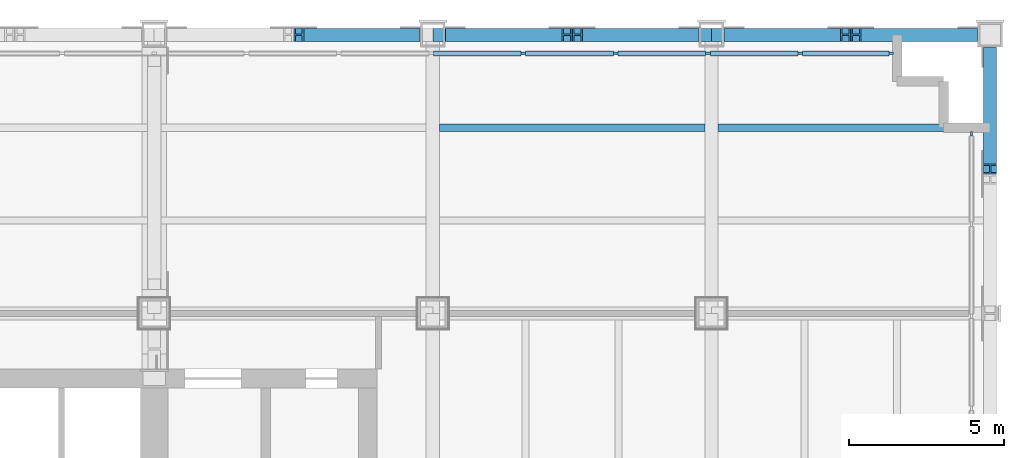
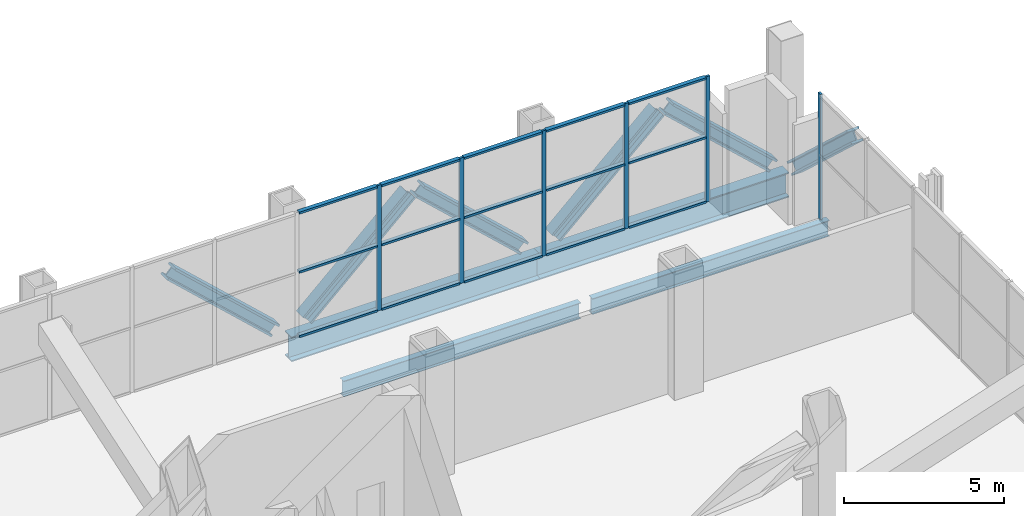
# One storey, part 9 of 19: 27 members, 4 beams, 2 elements without a shape of their own.
"""IFC4 building model written with IfcOpenShell, lengths in metres."""

import ifcopenshell
import ifcopenshell.guid

model = None  # the IFC model being written
_history = None  # IfcOwnerHistory: only IFC2X3 demands one
_inside = {}  # id of a spatial element -> (the spatial element, [elements in it])
_under = {}  # id of a project, library or spatial element -> (it, [spatial elements below it])
_declared = {}  # id of a project -> (the project, [libraries it declares])
_typed = {}  # id of a type object -> (the type object, [elements of that type])
_made_of = {}  # id of a material, layer set ... -> (it, [elements and type objects made of it])


def new_model(schema):
    """Start an empty IFC model of exactly this schema.

    Asked for "IFC4X3", IfcOpenShell would pick the latest addendum, in which some entities
    have other attributes; the version numbers below select the first issue.
    IFC2X3 requires an IfcOwnerHistory on every rooted entity: one is made here for all.
    """
    global model, _history
    if schema == "IFC4X3":
        model = ifcopenshell.file(schema_version=(4, 3, 0, 0))
    else:
        model = ifcopenshell.file(schema=schema)
    _inside.clear()
    _under.clear()
    _declared.clear()
    _typed.clear()
    _made_of.clear()
    _history = None
    if model.schema == "IFC2X3":
        org = make("IfcOrganization", Name="unknown")
        user = make(
            "IfcPersonAndOrganization",
            ThePerson=make("IfcPerson", FamilyName="unknown"),
            TheOrganization=org,
        )
        app = make(
            "IfcApplication",
            ApplicationDeveloper=org,
            Version="unknown",
            ApplicationFullName="unknown",
            ApplicationIdentifier="unknown",
        )
        _history = make(
            "IfcOwnerHistory",
            OwningUser=user,
            OwningApplication=app,
            ChangeAction="ADDED",
            CreationDate=0,
        )
    return model


def make(cls, **values):
    """One entity of the class cls with the attributes given. An attribute that is None is left unset."""
    return model.create_entity(
        cls, **{name: value for name, value in values.items() if value is not None}
    )


def rooted(cls, **values):
    """An entity with a GlobalId (a new one), such as an element, a storey or a relation."""
    return make(cls, GlobalId=ifcopenshell.guid.new(), OwnerHistory=_history, **values)


def si_unit(unit_type, name, prefix=None):
    """IfcSIUnit, for example si_unit("LENGTHUNIT", "METRE", prefix="MILLI")."""
    return make("IfcSIUnit", UnitType=unit_type, Prefix=prefix, Name=name)


def assignment(units):
    """IfcUnitAssignment: the units of a project."""
    return None if units is None else make("IfcUnitAssignment", Units=units)


def point(xyz):
    """IfcCartesianPoint."""
    return None if xyz is None else make("IfcCartesianPoint", Coordinates=xyz)


def direction(xyz):
    """IfcDirection."""
    return None if xyz is None else make("IfcDirection", DirectionRatios=xyz)


def frame(location, z_axis=None, x_axis=None):
    """IfcAxis2Placement3D, a coordinate frame: its origin and axes. An axis left out is left unset."""
    return make(
        "IfcAxis2Placement3D",
        Location=point(location),
        Axis=direction(z_axis),
        RefDirection=direction(x_axis),
    )


def frame_2d(location, x_axis=None):
    """IfcAxis2Placement2D, a coordinate frame in the plane: its origin and x axis."""
    return make(
        "IfcAxis2Placement2D", Location=point(location), RefDirection=direction(x_axis)
    )


def origin():
    """The frame at (0, 0, 0) with its axes left unset."""
    return frame((0.0, 0.0, 0.0))


def origin_2d():
    """The frame at (0, 0) in the plane with its x axis left unset."""
    return frame_2d((0.0, 0.0))


def place(relative_to, where):
    """IfcLocalPlacement: puts the frame where relative to a parent placement (None: the world)."""
    return make(
        "IfcLocalPlacement", PlacementRelTo=relative_to, RelativePlacement=where
    )


def context(
    kind, dimensions, precision=None, world=None, true_north=None, identifier=None
):
    """IfcGeometricRepresentationContext, for example the 3D "Model" context."""
    return make(
        "IfcGeometricRepresentationContext",
        ContextIdentifier=identifier,
        ContextType=kind,
        CoordinateSpaceDimension=dimensions,
        Precision=precision,
        WorldCoordinateSystem=world,
        TrueNorth=true_north,
    )


def subcontext(parent, identifier, kind, view, scale=None):
    """IfcGeometricRepresentationSubContext, for example "Body" below "Model"."""
    return make(
        "IfcGeometricRepresentationSubContext",
        ContextIdentifier=identifier,
        ContextType=kind,
        ParentContext=parent,
        TargetScale=scale,
        TargetView=view,
    )


def project(units=None, contexts=None):
    """IfcProject with its units and contexts."""
    return rooted(
        "IfcProject",
        Name="project",
        RepresentationContexts=contexts,
        UnitsInContext=assignment(units),
    )


def spatial(cls, under=None, at=None, **own):
    """A site, building, storey or space (cls), placed at a placement, below another one or the project."""
    s = rooted(cls, ObjectPlacement=at, **own)
    if under is not None:
        _under.setdefault(under.id(), (under, []))[1].append(s)
    return s


def profile(cls, at=None, kind="AREA", **sizes):
    """A parametric profile (cls). Its sizes go by their IFC names, for example OverallWidth=200.0."""
    return make(cls, ProfileType=kind, Position=at, **sizes)


def rectangle(**sizes):
    """IfcRectangleProfileDef."""
    return profile("IfcRectangleProfileDef", **sizes)


def i_section(**sizes):
    """IfcIShapeProfileDef."""
    return profile("IfcIShapeProfileDef", **sizes)


def extrude(swept, where, along, depth):
    """IfcExtrudedAreaSolid: the profile swept, set in the frame where, extruded along a direction by depth."""
    return make(
        "IfcExtrudedAreaSolid",
        SweptArea=swept,
        Position=where,
        ExtrudedDirection=direction(along),
        Depth=depth,
    )


def shape(context_of_items, identifier, shape_type, items):
    """IfcShapeRepresentation: the items that make up one representation, for example the "Body"."""
    return make(
        "IfcShapeRepresentation",
        ContextOfItems=context_of_items,
        RepresentationIdentifier=identifier,
        RepresentationType=shape_type,
        Items=items,
    )


def material(Name=None, Category=None):
    """IfcMaterial."""
    return make("IfcMaterial", Name=Name, Category=Category)


def material_profile(
    of_material, cross_section, Name=None, Category=None, Priority=None
):
    """IfcMaterialProfile: a cross section and its material."""
    return make(
        "IfcMaterialProfile",
        Name=Name,
        Material=of_material,
        Profile=cross_section,
        Priority=Priority,
        Category=Category,
    )


def profile_set(profiles, Name=None, composite=None):
    """IfcMaterialProfileSet."""
    return make(
        "IfcMaterialProfileSet",
        Name=Name,
        MaterialProfiles=profiles,
        CompositeProfile=composite,
    )


def made_of(thing, what):
    """Note that an element or type object is made of a material, layer set ...; save() writes the relation."""
    if what is not None:
        _made_of.setdefault(what.id(), (what, []))[1].append(thing)
    return thing


def type_object(cls, material=None, **own):
    """A type object (cls), such as IfcWallType, which elements share."""
    return made_of(rooted(cls, **own), material)


def element(
    cls,
    number,
    at=None,
    inside=None,
    cuts=None,
    type_object=None,
    material=None,
    context=None,
    identifier="Body",
    shape_type=None,
    held_by="IfcProductDefinitionShape",
    body=None,
    shapes=None,
    **own,
):
    """One element of the class cls, such as IfcWall. Its Tag is "e" and its number.

    at: its placement. inside: the storey or other place that contains it. cuts: it is an
    opening in that element (IfcRelVoidsElement). A single representation is given by context,
    identifier, shape_type and body (its items); several are given by shapes. held_by: the class
    of the entity that holds the representations. save() writes the other relations.
    """
    e = rooted(cls, Tag="e%d" % number, ObjectPlacement=at, **own)
    if body is not None:
        shapes = [shape(context, identifier, shape_type, body)]
    if shapes is not None:
        e.Representation = make(held_by, Representations=shapes)
    if inside is not None:
        _inside.setdefault(inside.id(), (inside, []))[1].append(e)
    if cuts is not None:
        rooted(
            "IfcRelVoidsElement", RelatingBuildingElement=cuts, RelatedOpeningElement=e
        )
    if type_object is not None:
        _typed.setdefault(type_object.id(), (type_object, []))[1].append(e)
    return made_of(e, material)


def aggregate(whole, parts):
    """IfcRelAggregates: a whole, such as a stair, and the parts it consists of."""
    return rooted("IfcRelAggregates", RelatingObject=whole, RelatedObjects=parts)


def save(model, path):
    """Write the relations noted so far, then the file.

    IfcRelAggregates (storeys below a building ...), IfcRelContainedInSpatialStructure (elements
    in a storey), IfcRelDefinesByType, IfcRelAssociatesMaterial and IfcRelDeclares: one each for
    every whole, place, type object, material and project.
    """
    for whole, parts in _under.values():
        aggregate(whole, parts)
    for where, things in _inside.values():
        rooted(
            "IfcRelContainedInSpatialStructure",
            RelatedElements=things,
            RelatingStructure=where,
        )
    for kind, things in _typed.values():
        rooted("IfcRelDefinesByType", RelatedObjects=things, RelatingType=kind)
    for what, things in _made_of.values():
        rooted("IfcRelAssociatesMaterial", RelatedObjects=things, RelatingMaterial=what)
    for by, libraries in _declared.values():
        rooted("IfcRelDeclares", RelatingContext=by, RelatedDefinitions=libraries)
    model.write(path)


model = new_model("IFC4")

# Units and contexts
model_context = context("Model", 3, precision=1e-05, world=origin(), true_north=direction((0.0, 1.0)))
body_context = subcontext(model_context, "Body", "Model", "MODEL_VIEW")
ifc_project = project(units=[si_unit("LENGTHUNIT", "METRE"), si_unit("AREAUNIT", "SQUARE_METRE"), si_unit("VOLUMEUNIT", "CUBIC_METRE"), si_unit("PLANEANGLEUNIT", "RADIAN"), si_unit("MASSUNIT", "GRAM", prefix="KILO")], contexts=[model_context])

# Site, building, storey
site_placement = place(None, origin())
site = spatial("IfcSite", under=ifc_project, at=site_placement, CompositionType="ELEMENT")
building_placement = place(site_placement, origin())
building = spatial("IfcBuilding", under=site, at=building_placement, Name="Loomwork Tower", CompositionType="ELEMENT")
storey_placement = place(building_placement, frame((0.0, 0.0, 89.199951171875)))
storey = spatial("IfcBuildingStorey", under=building, at=storey_placement, Name="L23", CompositionType="ELEMENT", Elevation=89.199951171875)

# Beams
ifc_material_1 = material(Name="Steel ASTM A992", Category="steel")
ifc_material_profile_1 = material_profile(ifc_material_1, i_section(OverallWidth=0.424072265625, OverallDepth=0.947509765625, WebThickness=0.02392578125, FlangeThickness=0.042724609375, at=origin_2d()), Name="W36x302")
ifc_profile_set_1 = profile_set([ifc_material_profile_1], Name="Steel ASTM A992")
beam_type_1 = type_object("IfcBeamType", Name="BELT CHORD SPANDREL W36x302", PredefinedType="SPANDREL", material=ifc_profile_set_1)
for number, where, z_axis, x_axis, name in (
    (1, (36.0, 36.0, -0.7236328125), (1.0, 0.0, 0.0), (0.0, 1.0, 0.0), "Belt Chord Spandrel H/6-H/7 L23"),
    (2, (45.0, 36.0, -0.7236328125), (1.0, 0.0, 0.0), (0.0, 1.0, 0.0), "Belt Chord Spandrel H/7-H/8 L23"),
):
    element("IfcBeam", number, at=place(storey_placement, frame(where, z_axis=z_axis, x_axis=x_axis)), inside=storey, type_object=beam_type_1, Name=name, PredefinedType="SPANDREL", context=body_context, shape_type="SweptSolid", body=[
        extrude(i_section(OverallWidth=0.424072265625, OverallDepth=0.947509765625, WebThickness=0.02392578125, FlangeThickness=0.042724609375, at=origin_2d()), origin(), (0.0, 0.0, 1.0), 9.0),
    ])

# Members
ifc_material_2 = material(Name="Steel ASTM A992", Category="steel")
ifc_material_profile_2 = material_profile(ifc_material_2, i_section(OverallWidth=0.424072265625, OverallDepth=0.47509765625, WebThickness=0.0478515625, FlangeThickness=0.0771484375, at=origin_2d()), Name="W14x426")
ifc_profile_set_2 = profile_set([ifc_material_profile_2], Name="Steel ASTM A992")
member_type_1 = type_object("IfcMemberType", Name="BELT TRUSS DIAGONAL W14x426", PredefinedType="BRACE", material=ifc_profile_set_2)
for number, where, z_axis, x_axis, name in (
    (3, (35.4287109375, 36.0, 0.184326171875), (-0.733437826244, 0.0, 0.679756541001), (0.0, -1.0, 0.0), "Belt truss diagonal H/5-H/6 L23"),
    (4, (36.5712890625, 36.0, 0.184326171875), (0.733437826244, 0.0, 0.679756541001), (0.0, 1.0, 0.0), "Belt truss diagonal H/6-H/7 L23"),
    (5, (44.4287109375, 36.0, 0.184326171875), (-0.733437826244, 0.0, 0.679756541001), (0.0, -1.0, 0.0), "Belt truss diagonal H/6-H/7 L23"),
    (6, (45.5712890625, 36.0, 0.184326171875), (0.733437826244, 0.0, 0.679756541001), (0.0, 1.0, 0.0), "Belt truss diagonal H/7-H/8 L23"),
    (7, (53.4287109375, 36.0, 0.184326171875), (-0.733437826244, 0.0, 0.679756541001), (0.0, -1.0, 0.0), "Belt truss diagonal H/7-H/8 L23"),
    (8, (54.0, 35.4287109375, 0.184326171875), (0.0, -0.733437826244, 0.679756541001), (1.0, 0.0, 0.0), "Belt truss diagonal G/8-H/8 L23"),
):
    element("IfcMember", number, at=place(storey_placement, frame(where, z_axis=z_axis, x_axis=x_axis)), inside=storey, type_object=member_type_1, Name=name, PredefinedType="BRACE", context=body_context, shape_type="SweptSolid", body=[
        extrude(i_section(OverallWidth=0.424072265625, OverallDepth=0.47509765625, WebThickness=0.0478515625, FlangeThickness=0.0771484375, at=origin_2d()), origin(), (0.0, 0.0, 1.0), 5.12548828125),
    ])

# Beams
ifc_material_3 = material(Name="Steel ASTM A992", Category="steel")
ifc_material_profile_3 = material_profile(ifc_material_3, i_section(OverallWidth=0.228271484375, OverallDepth=0.607177734375, WebThickness=0.01123046875, FlangeThickness=0.017333984375, at=origin_2d()), Name="W24x76")
ifc_profile_set_3 = profile_set([ifc_material_profile_3], Name="Steel ASTM A992")
beam_type_2 = type_object("IfcBeamType", Name="PLANT FLOOR JOIST W24x76", PredefinedType="JOIST", material=ifc_profile_set_3)
beam_1_placement = place(storey_placement, frame((36.212890625, 33.0, -0.553466796875), z_axis=(1.0, 0.0, 0.0), x_axis=(0.0, 1.0, 0.0)))
element("IfcBeam", 9, at=beam_1_placement, inside=storey, type_object=beam_type_2, Name="Plant Floor Joist 36.000,33.000-45.000,33.000 L23", PredefinedType="JOIST", context=body_context, shape_type="SweptSolid", body=[
    extrude(i_section(OverallWidth=0.228271484375, OverallDepth=0.607177734375, WebThickness=0.01123046875, FlangeThickness=0.017333984375, at=origin_2d()), origin(), (0.0, 0.0, 1.0), 8.57421875),
])
beam_2_placement = place(storey_placement, frame((45.212890625, 33.0, -0.553466796875), z_axis=(1.0, 0.0, 0.0), x_axis=(0.0, 1.0, 0.0)))
element("IfcBeam", 10, at=beam_2_placement, inside=storey, type_object=beam_type_2, Name="Plant Floor Joist 45.000,33.000-54.000,33.000 L23", PredefinedType="JOIST", context=body_context, shape_type="SweptSolid", body=[
    extrude(i_section(OverallWidth=0.228271484375, OverallDepth=0.607177734375, WebThickness=0.01123046875, FlangeThickness=0.017333984375, at=origin_2d()), origin(), (0.0, 0.0, 1.0), 8.5751953125),
])

# Curtain wall, member
ifc_material_4 = material(Name="Aluminium louvre frame", Category="aluminium")
curtain_wall_type = type_object("IfcCurtainWallType", Name="Plant floor louvre screen", PredefinedType="NOTDEFINED", material=ifc_material_4)
curtain_wall_1_placement = place(storey_placement, origin())
curtain_wall_1 = element("IfcCurtainWall", 11, at=curtain_wall_1_placement, inside=storey, type_object=curtain_wall_type, Name="Plant floor louvre screen cw/E", PredefinedType="NOTDEFINED")
ifc_material_5 = material(Name="Aluminium louvre frame", Category="aluminium")
ifc_material_profile_4 = material_profile(ifc_material_5, rectangle(XDim=0.080078125, YDim=0.14990234375, at=origin_2d()), Name="AL 80x150")
ifc_profile_set_4 = profile_set([ifc_material_profile_4], Name="Aluminium louvre frame")
member_type_2 = type_object("IfcMemberType", Name="Plant floor louvre screen mullion", PredefinedType="MULLION", material=ifc_profile_set_4)
member_1_placement = place(storey_placement, frame((53.39990234375, 32.81005859375, 0.0), z_axis=(0.0, 0.0, 1.0), x_axis=(-1.0, 0.0, 0.0)))
member_1 = element("IfcMember", 12, at=member_1_placement, type_object=member_type_2, Name="CW4 mullion 11", PredefinedType="MULLION", context=body_context, shape_type="SweptSolid", body=[
    extrude(rectangle(XDim=0.080078125, YDim=0.14990234375, at=origin_2d()), origin(), (0.0, 0.0, 1.0), 4.800048828125),
])
aggregate(curtain_wall_1, [member_1])

# Curtain wall, members
curtain_wall_2_placement = place(storey_placement, origin())
curtain_wall_2 = element("IfcCurtainWall", 13, at=curtain_wall_2_placement, inside=storey, type_object=curtain_wall_type, Name="Plant floor louvre screen cw/N", PredefinedType="NOTDEFINED")
member_2_placement = place(storey_placement, frame((50.81005859375, 35.39990234375, 0.0), z_axis=(0.0, 0.0, 1.0), x_axis=(0.0, -1.0, 0.0)))
member_2 = element("IfcMember", 14, at=member_2_placement, type_object=member_type_2, Name="CW4 mullion 1", PredefinedType="MULLION", context=body_context, shape_type="SweptSolid", body=[
    extrude(rectangle(XDim=0.080078125, YDim=0.14990234375, at=origin_2d()), origin(), (0.0, 0.0, 1.0), 4.800048828125),
])
member_3_placement = place(storey_placement, frame((47.86865234375, 35.39990234375, 0.0), z_axis=(0.0, 0.0, 1.0), x_axis=(0.0, -1.0, 0.0)))
member_3 = element("IfcMember", 15, at=member_3_placement, type_object=member_type_2, Name="CW4 mullion 2", PredefinedType="MULLION", context=body_context, shape_type="SweptSolid", body=[
    extrude(rectangle(XDim=0.080078125, YDim=0.14990234375, at=origin_2d()), origin(), (0.0, 0.0, 1.0), 4.800048828125),
])
member_4_placement = place(storey_placement, frame((44.887451171875, 35.39990234375, 0.0), z_axis=(0.0, 0.0, 1.0), x_axis=(0.0, -1.0, 0.0)))
member_4 = element("IfcMember", 16, at=member_4_placement, type_object=member_type_2, Name="CW4 mullion 3", PredefinedType="MULLION", context=body_context, shape_type="SweptSolid", body=[
    extrude(rectangle(XDim=0.080078125, YDim=0.14990234375, at=origin_2d()), origin(), (0.0, 0.0, 1.0), 4.800048828125),
])
member_5_placement = place(storey_placement, frame((41.90625, 35.39990234375, 0.0), z_axis=(0.0, 0.0, 1.0), x_axis=(0.0, -1.0, 0.0)))
member_5 = element("IfcMember", 17, at=member_5_placement, type_object=member_type_2, Name="CW4 mullion 4", PredefinedType="MULLION", context=body_context, shape_type="SweptSolid", body=[
    extrude(rectangle(XDim=0.080078125, YDim=0.14990234375, at=origin_2d()), origin(), (0.0, 0.0, 1.0), 4.800048828125),
])
member_6_placement = place(storey_placement, frame((38.925048828125, 35.39990234375, 0.0), z_axis=(0.0, 0.0, 1.0), x_axis=(0.0, -1.0, 0.0)))
member_6 = element("IfcMember", 18, at=member_6_placement, type_object=member_type_2, Name="CW4 mullion 5", PredefinedType="MULLION", context=body_context, shape_type="SweptSolid", body=[
    extrude(rectangle(XDim=0.080078125, YDim=0.14990234375, at=origin_2d()), origin(), (0.0, 0.0, 1.0), 4.800048828125),
])
ifc_material_6 = material(Name="Aluminium louvre frame", Category="aluminium")
ifc_material_profile_5 = material_profile(ifc_material_6, rectangle(XDim=0.14990234375, YDim=0.080078125, at=origin_2d()), Name="AL 80x150")
ifc_profile_set_5 = profile_set([ifc_material_profile_5], Name="Aluminium louvre frame")
member_type_3 = type_object("IfcMemberType", Name="Plant floor louvre screen transom", PredefinedType="USERDEFINED", material=ifc_profile_set_5)
member_7_placement = place(storey_placement, frame((50.735107421875, 35.39990234375, 0.0400390625), z_axis=(-1.0, 0.0, 0.0), x_axis=(0.0, -1.0, 0.0)))
member_7 = element("IfcMember", 19, at=member_7_placement, type_object=member_type_3, Name="CW4 transom 1.1", ObjectType="TRANSOM", PredefinedType="USERDEFINED", context=body_context, shape_type="SweptSolid", body=[
    extrude(rectangle(XDim=0.14990234375, YDim=0.080078125, at=origin_2d()), origin(), (0.0, 0.0, 1.0), 2.791259765625),
])
member_8_placement = place(storey_placement, frame((50.735107421875, 35.39990234375, 2.5), z_axis=(-1.0, 0.0, 0.0), x_axis=(0.0, -1.0, 0.0)))
member_8 = element("IfcMember", 20, at=member_8_placement, type_object=member_type_3, Name="CW4 transom 1.2", ObjectType="TRANSOM", PredefinedType="USERDEFINED", context=body_context, shape_type="SweptSolid", body=[
    extrude(rectangle(XDim=0.14990234375, YDim=0.080078125, at=origin_2d()), origin(), (0.0, 0.0, 1.0), 2.791259765625),
])
member_9_placement = place(storey_placement, frame((50.735107421875, 35.39990234375, 4.760009765625), z_axis=(-1.0, 0.0, 0.0), x_axis=(0.0, -1.0, 0.0)))
member_9 = element("IfcMember", 21, at=member_9_placement, type_object=member_type_3, Name="CW4 transom 1.3", ObjectType="TRANSOM", PredefinedType="USERDEFINED", context=body_context, shape_type="SweptSolid", body=[
    extrude(rectangle(XDim=0.14990234375, YDim=0.080078125, at=origin_2d()), origin(), (0.0, 0.0, 1.0), 2.791259765625),
])
member_10_placement = place(storey_placement, frame((47.793701171875, 35.39990234375, 0.0400390625), z_axis=(-1.0, 0.0, 0.0), x_axis=(0.0, -1.0, 0.0)))
member_10 = element("IfcMember", 22, at=member_10_placement, type_object=member_type_3, Name="CW4 transom 2.1", ObjectType="TRANSOM", PredefinedType="USERDEFINED", context=body_context, shape_type="SweptSolid", body=[
    extrude(rectangle(XDim=0.14990234375, YDim=0.080078125, at=origin_2d()), origin(), (0.0, 0.0, 1.0), 2.831298828125),
])
member_11_placement = place(storey_placement, frame((47.793701171875, 35.39990234375, 2.5), z_axis=(-1.0, 0.0, 0.0), x_axis=(0.0, -1.0, 0.0)))
member_11 = element("IfcMember", 23, at=member_11_placement, type_object=member_type_3, Name="CW4 transom 2.2", ObjectType="TRANSOM", PredefinedType="USERDEFINED", context=body_context, shape_type="SweptSolid", body=[
    extrude(rectangle(XDim=0.14990234375, YDim=0.080078125, at=origin_2d()), origin(), (0.0, 0.0, 1.0), 2.831298828125),
])
member_12_placement = place(storey_placement, frame((47.793701171875, 35.39990234375, 4.760009765625), z_axis=(-1.0, 0.0, 0.0), x_axis=(0.0, -1.0, 0.0)))
member_12 = element("IfcMember", 24, at=member_12_placement, type_object=member_type_3, Name="CW4 transom 2.3", ObjectType="TRANSOM", PredefinedType="USERDEFINED", context=body_context, shape_type="SweptSolid", body=[
    extrude(rectangle(XDim=0.14990234375, YDim=0.080078125, at=origin_2d()), origin(), (0.0, 0.0, 1.0), 2.831298828125),
])
member_13_placement = place(storey_placement, frame((44.8125, 35.39990234375, 0.0400390625), z_axis=(-1.0, 0.0, 0.0), x_axis=(0.0, -1.0, 0.0)))
member_13 = element("IfcMember", 25, at=member_13_placement, type_object=member_type_3, Name="CW4 transom 3.1", ObjectType="TRANSOM", PredefinedType="USERDEFINED", context=body_context, shape_type="SweptSolid", body=[
    extrude(rectangle(XDim=0.14990234375, YDim=0.080078125, at=origin_2d()), origin(), (0.0, 0.0, 1.0), 2.831298828125),
])
member_14_placement = place(storey_placement, frame((44.8125, 35.39990234375, 2.5), z_axis=(-1.0, 0.0, 0.0), x_axis=(0.0, -1.0, 0.0)))
member_14 = element("IfcMember", 26, at=member_14_placement, type_object=member_type_3, Name="CW4 transom 3.2", ObjectType="TRANSOM", PredefinedType="USERDEFINED", context=body_context, shape_type="SweptSolid", body=[
    extrude(rectangle(XDim=0.14990234375, YDim=0.080078125, at=origin_2d()), origin(), (0.0, 0.0, 1.0), 2.831298828125),
])
member_15_placement = place(storey_placement, frame((44.8125, 35.39990234375, 4.760009765625), z_axis=(-1.0, 0.0, 0.0), x_axis=(0.0, -1.0, 0.0)))
member_15 = element("IfcMember", 27, at=member_15_placement, type_object=member_type_3, Name="CW4 transom 3.3", ObjectType="TRANSOM", PredefinedType="USERDEFINED", context=body_context, shape_type="SweptSolid", body=[
    extrude(rectangle(XDim=0.14990234375, YDim=0.080078125, at=origin_2d()), origin(), (0.0, 0.0, 1.0), 2.831298828125),
])
member_16_placement = place(storey_placement, frame((41.831298828125, 35.39990234375, 0.0400390625), z_axis=(-1.0, 0.0, 0.0), x_axis=(0.0, -1.0, 0.0)))
member_16 = element("IfcMember", 28, at=member_16_placement, type_object=member_type_3, Name="CW4 transom 4.1", ObjectType="TRANSOM", PredefinedType="USERDEFINED", context=body_context, shape_type="SweptSolid", body=[
    extrude(rectangle(XDim=0.14990234375, YDim=0.080078125, at=origin_2d()), origin(), (0.0, 0.0, 1.0), 2.831298828125),
])
member_17_placement = place(storey_placement, frame((41.831298828125, 35.39990234375, 2.5), z_axis=(-1.0, 0.0, 0.0), x_axis=(0.0, -1.0, 0.0)))
member_17 = element("IfcMember", 29, at=member_17_placement, type_object=member_type_3, Name="CW4 transom 4.2", ObjectType="TRANSOM", PredefinedType="USERDEFINED", context=body_context, shape_type="SweptSolid", body=[
    extrude(rectangle(XDim=0.14990234375, YDim=0.080078125, at=origin_2d()), origin(), (0.0, 0.0, 1.0), 2.831298828125),
])
member_18_placement = place(storey_placement, frame((41.831298828125, 35.39990234375, 4.760009765625), z_axis=(-1.0, 0.0, 0.0), x_axis=(0.0, -1.0, 0.0)))
member_18 = element("IfcMember", 30, at=member_18_placement, type_object=member_type_3, Name="CW4 transom 4.3", ObjectType="TRANSOM", PredefinedType="USERDEFINED", context=body_context, shape_type="SweptSolid", body=[
    extrude(rectangle(XDim=0.14990234375, YDim=0.080078125, at=origin_2d()), origin(), (0.0, 0.0, 1.0), 2.831298828125),
])
member_19_placement = place(storey_placement, frame((38.85009765625, 35.39990234375, 0.0400390625), z_axis=(-1.0, 0.0, 0.0), x_axis=(0.0, -1.0, 0.0)))
member_19 = element("IfcMember", 31, at=member_19_placement, type_object=member_type_3, Name="CW4 transom 5.1", ObjectType="TRANSOM", PredefinedType="USERDEFINED", context=body_context, shape_type="SweptSolid", body=[
    extrude(rectangle(XDim=0.14990234375, YDim=0.080078125, at=origin_2d()), origin(), (0.0, 0.0, 1.0), 2.831298828125),
])
member_20_placement = place(storey_placement, frame((38.85009765625, 35.39990234375, 2.5), z_axis=(-1.0, 0.0, 0.0), x_axis=(0.0, -1.0, 0.0)))
member_20 = element("IfcMember", 32, at=member_20_placement, type_object=member_type_3, Name="CW4 transom 5.2", ObjectType="TRANSOM", PredefinedType="USERDEFINED", context=body_context, shape_type="SweptSolid", body=[
    extrude(rectangle(XDim=0.14990234375, YDim=0.080078125, at=origin_2d()), origin(), (0.0, 0.0, 1.0), 2.831298828125),
])
member_21_placement = place(storey_placement, frame((38.85009765625, 35.39990234375, 4.760009765625), z_axis=(-1.0, 0.0, 0.0), x_axis=(0.0, -1.0, 0.0)))
member_21 = element("IfcMember", 33, at=member_21_placement, type_object=member_type_3, Name="CW4 transom 5.3", ObjectType="TRANSOM", PredefinedType="USERDEFINED", context=body_context, shape_type="SweptSolid", body=[
    extrude(rectangle(XDim=0.14990234375, YDim=0.080078125, at=origin_2d()), origin(), (0.0, 0.0, 1.0), 2.831298828125),
])
aggregate(curtain_wall_2, [member_2, member_3, member_4, member_5, member_6, member_7, member_8, member_9, member_10, member_11, member_12, member_13, member_14, member_15, member_16, member_17, member_18, member_19, member_20, member_21])

save(model, "model.ifc")
